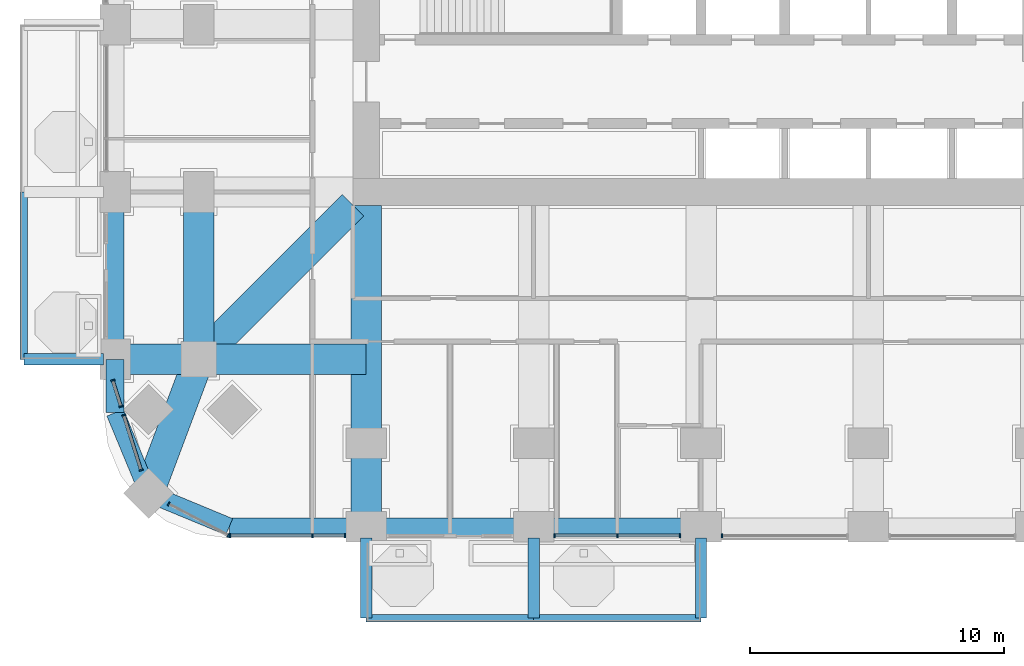
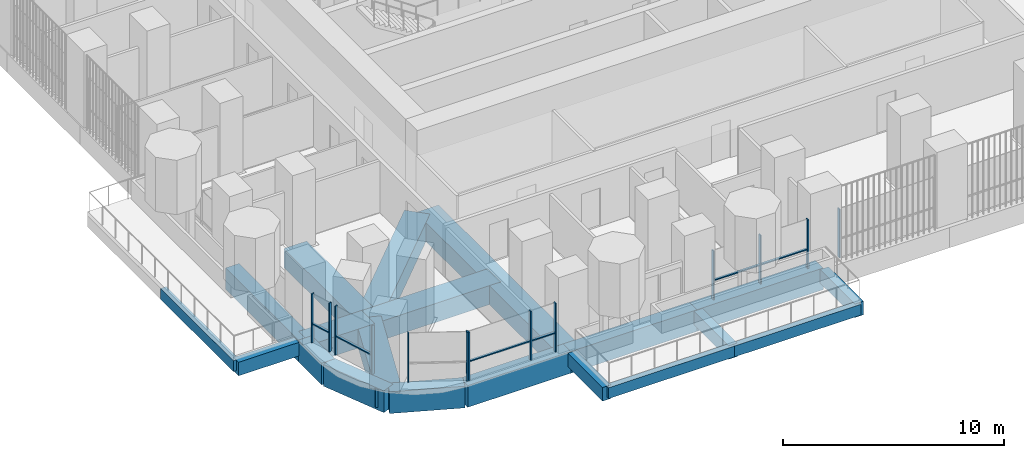
# One storey, part 2 of 21: 20 beams, 19 members, 6 elements without a shape of their own.
"""IFC4 building model written with IfcOpenShell, lengths in metres."""

import ifcopenshell
import ifcopenshell.guid

model = None  # the IFC model being written
_history = None  # IfcOwnerHistory: only IFC2X3 demands one
_inside = {}  # id of a spatial element -> (the spatial element, [elements in it])
_under = {}  # id of a project, library or spatial element -> (it, [spatial elements below it])
_declared = {}  # id of a project -> (the project, [libraries it declares])
_typed = {}  # id of a type object -> (the type object, [elements of that type])
_made_of = {}  # id of a material, layer set ... -> (it, [elements and type objects made of it])


def new_model(schema):
    """Start an empty IFC model of exactly this schema.

    Asked for "IFC4X3", IfcOpenShell would pick the latest addendum, in which some entities
    have other attributes; the version numbers below select the first issue.
    IFC2X3 requires an IfcOwnerHistory on every rooted entity: one is made here for all.
    """
    global model, _history
    if schema == "IFC4X3":
        model = ifcopenshell.file(schema_version=(4, 3, 0, 0))
    else:
        model = ifcopenshell.file(schema=schema)
    _inside.clear()
    _under.clear()
    _declared.clear()
    _typed.clear()
    _made_of.clear()
    _history = None
    if model.schema == "IFC2X3":
        org = make("IfcOrganization", Name="unknown")
        user = make(
            "IfcPersonAndOrganization",
            ThePerson=make("IfcPerson", FamilyName="unknown"),
            TheOrganization=org,
        )
        app = make(
            "IfcApplication",
            ApplicationDeveloper=org,
            Version="unknown",
            ApplicationFullName="unknown",
            ApplicationIdentifier="unknown",
        )
        _history = make(
            "IfcOwnerHistory",
            OwningUser=user,
            OwningApplication=app,
            ChangeAction="ADDED",
            CreationDate=0,
        )
    return model


def make(cls, **values):
    """One entity of the class cls with the attributes given. An attribute that is None is left unset."""
    return model.create_entity(
        cls, **{name: value for name, value in values.items() if value is not None}
    )


def rooted(cls, **values):
    """An entity with a GlobalId (a new one), such as an element, a storey or a relation."""
    return make(cls, GlobalId=ifcopenshell.guid.new(), OwnerHistory=_history, **values)


def si_unit(unit_type, name, prefix=None):
    """IfcSIUnit, for example si_unit("LENGTHUNIT", "METRE", prefix="MILLI")."""
    return make("IfcSIUnit", UnitType=unit_type, Prefix=prefix, Name=name)


def assignment(units):
    """IfcUnitAssignment: the units of a project."""
    return None if units is None else make("IfcUnitAssignment", Units=units)


def point(xyz):
    """IfcCartesianPoint."""
    return None if xyz is None else make("IfcCartesianPoint", Coordinates=xyz)


def direction(xyz):
    """IfcDirection."""
    return None if xyz is None else make("IfcDirection", DirectionRatios=xyz)


def frame(location, z_axis=None, x_axis=None):
    """IfcAxis2Placement3D, a coordinate frame: its origin and axes. An axis left out is left unset."""
    return make(
        "IfcAxis2Placement3D",
        Location=point(location),
        Axis=direction(z_axis),
        RefDirection=direction(x_axis),
    )


def frame_2d(location, x_axis=None):
    """IfcAxis2Placement2D, a coordinate frame in the plane: its origin and x axis."""
    return make(
        "IfcAxis2Placement2D", Location=point(location), RefDirection=direction(x_axis)
    )


def origin():
    """The frame at (0, 0, 0) with its axes left unset."""
    return frame((0.0, 0.0, 0.0))


def origin_2d():
    """The frame at (0, 0) in the plane with its x axis left unset."""
    return frame_2d((0.0, 0.0))


def place(relative_to, where):
    """IfcLocalPlacement: puts the frame where relative to a parent placement (None: the world)."""
    return make(
        "IfcLocalPlacement", PlacementRelTo=relative_to, RelativePlacement=where
    )


def context(
    kind, dimensions, precision=None, world=None, true_north=None, identifier=None
):
    """IfcGeometricRepresentationContext, for example the 3D "Model" context."""
    return make(
        "IfcGeometricRepresentationContext",
        ContextIdentifier=identifier,
        ContextType=kind,
        CoordinateSpaceDimension=dimensions,
        Precision=precision,
        WorldCoordinateSystem=world,
        TrueNorth=true_north,
    )


def subcontext(parent, identifier, kind, view, scale=None):
    """IfcGeometricRepresentationSubContext, for example "Body" below "Model"."""
    return make(
        "IfcGeometricRepresentationSubContext",
        ContextIdentifier=identifier,
        ContextType=kind,
        ParentContext=parent,
        TargetScale=scale,
        TargetView=view,
    )


def project(units=None, contexts=None):
    """IfcProject with its units and contexts."""
    return rooted(
        "IfcProject",
        Name="project",
        RepresentationContexts=contexts,
        UnitsInContext=assignment(units),
    )


def spatial(cls, under=None, at=None, **own):
    """A site, building, storey or space (cls), placed at a placement, below another one or the project."""
    s = rooted(cls, ObjectPlacement=at, **own)
    if under is not None:
        _under.setdefault(under.id(), (under, []))[1].append(s)
    return s


def profile(cls, at=None, kind="AREA", **sizes):
    """A parametric profile (cls). Its sizes go by their IFC names, for example OverallWidth=200.0."""
    return make(cls, ProfileType=kind, Position=at, **sizes)


def rectangle(**sizes):
    """IfcRectangleProfileDef."""
    return profile("IfcRectangleProfileDef", **sizes)


def extrude(swept, where, along, depth):
    """IfcExtrudedAreaSolid: the profile swept, set in the frame where, extruded along a direction by depth."""
    return make(
        "IfcExtrudedAreaSolid",
        SweptArea=swept,
        Position=where,
        ExtrudedDirection=direction(along),
        Depth=depth,
    )


def shape(context_of_items, identifier, shape_type, items):
    """IfcShapeRepresentation: the items that make up one representation, for example the "Body"."""
    return make(
        "IfcShapeRepresentation",
        ContextOfItems=context_of_items,
        RepresentationIdentifier=identifier,
        RepresentationType=shape_type,
        Items=items,
    )


def material(Name=None, Category=None):
    """IfcMaterial."""
    return make("IfcMaterial", Name=Name, Category=Category)


def material_profile(
    of_material, cross_section, Name=None, Category=None, Priority=None
):
    """IfcMaterialProfile: a cross section and its material."""
    return make(
        "IfcMaterialProfile",
        Name=Name,
        Material=of_material,
        Profile=cross_section,
        Priority=Priority,
        Category=Category,
    )


def profile_set(profiles, Name=None, composite=None):
    """IfcMaterialProfileSet."""
    return make(
        "IfcMaterialProfileSet",
        Name=Name,
        MaterialProfiles=profiles,
        CompositeProfile=composite,
    )


def made_of(thing, what):
    """Note that an element or type object is made of a material, layer set ...; save() writes the relation."""
    if what is not None:
        _made_of.setdefault(what.id(), (what, []))[1].append(thing)
    return thing


def type_object(cls, material=None, **own):
    """A type object (cls), such as IfcWallType, which elements share."""
    return made_of(rooted(cls, **own), material)


def element(
    cls,
    number,
    at=None,
    inside=None,
    cuts=None,
    type_object=None,
    material=None,
    context=None,
    identifier="Body",
    shape_type=None,
    held_by="IfcProductDefinitionShape",
    body=None,
    shapes=None,
    **own,
):
    """One element of the class cls, such as IfcWall. Its Tag is "e" and its number.

    at: its placement. inside: the storey or other place that contains it. cuts: it is an
    opening in that element (IfcRelVoidsElement). A single representation is given by context,
    identifier, shape_type and body (its items); several are given by shapes. held_by: the class
    of the entity that holds the representations. save() writes the other relations.
    """
    e = rooted(cls, Tag="e%d" % number, ObjectPlacement=at, **own)
    if body is not None:
        shapes = [shape(context, identifier, shape_type, body)]
    if shapes is not None:
        e.Representation = make(held_by, Representations=shapes)
    if inside is not None:
        _inside.setdefault(inside.id(), (inside, []))[1].append(e)
    if cuts is not None:
        rooted(
            "IfcRelVoidsElement", RelatingBuildingElement=cuts, RelatedOpeningElement=e
        )
    if type_object is not None:
        _typed.setdefault(type_object.id(), (type_object, []))[1].append(e)
    return made_of(e, material)


def aggregate(whole, parts):
    """IfcRelAggregates: a whole, such as a stair, and the parts it consists of."""
    return rooted("IfcRelAggregates", RelatingObject=whole, RelatedObjects=parts)


def save(model, path):
    """Write the relations noted so far, then the file.

    IfcRelAggregates (storeys below a building ...), IfcRelContainedInSpatialStructure (elements
    in a storey), IfcRelDefinesByType, IfcRelAssociatesMaterial and IfcRelDeclares: one each for
    every whole, place, type object, material and project.
    """
    for whole, parts in _under.values():
        aggregate(whole, parts)
    for where, things in _inside.values():
        rooted(
            "IfcRelContainedInSpatialStructure",
            RelatedElements=things,
            RelatingStructure=where,
        )
    for kind, things in _typed.values():
        rooted("IfcRelDefinesByType", RelatedObjects=things, RelatingType=kind)
    for what, things in _made_of.values():
        rooted("IfcRelAssociatesMaterial", RelatedObjects=things, RelatingMaterial=what)
    for by, libraries in _declared.values():
        rooted("IfcRelDeclares", RelatingContext=by, RelatedDefinitions=libraries)
    model.write(path)


model = new_model("IFC4")

# Units and contexts
model_context = context("Model", 3, precision=1e-05, world=origin(), true_north=direction((0.0, 1.0)))
body_context = subcontext(model_context, "Body", "Model", "MODEL_VIEW")
ifc_project = project(units=[si_unit("LENGTHUNIT", "METRE"), si_unit("AREAUNIT", "SQUARE_METRE"), si_unit("VOLUMEUNIT", "CUBIC_METRE"), si_unit("PLANEANGLEUNIT", "RADIAN"), si_unit("MASSUNIT", "GRAM", prefix="KILO")], contexts=[model_context])

# Site, building, storey
site_placement = place(None, origin())
site = spatial("IfcSite", under=ifc_project, at=site_placement, CompositionType="ELEMENT")
building_placement = place(site_placement, origin())
building = spatial("IfcBuilding", under=site, at=building_placement, Name="Cobogo Forest Laboratory Tower", CompositionType="ELEMENT")
storey_placement = place(building_placement, frame((0.0, 0.0, 90.60009765625)))
storey = spatial("IfcBuildingStorey", under=building, at=storey_placement, Name="L20", CompositionType="ELEMENT", Elevation=90.60009765625)

# Beams
ifc_material_1 = material(Name="Concrete HA-40 (C40/50)", Category="concrete")
ifc_material_profile_1 = material_profile(ifc_material_1, rectangle(XDim=0.449951171875, YDim=0.75, at=origin_2d()), Name="RC 450x750")
ifc_profile_set_1 = profile_set([ifc_material_profile_1], Name="Concrete HA-40 (C40/50)")
beam_type_1 = type_object("IfcBeamType", Name="Balcony cantilever beam 450x750", PredefinedType="BEAM", material=ifc_profile_set_1)
for number, where, z_axis, x_axis, name in (
    (1, (13.199951171875, -0.449951171875, -0.625), (0.0, -1.0, 0.0), (1.0, 0.0, 0.0), "CB1 BAL-S1-C1 L20"),
    (2, (19.800048828125, -0.449951171875, -0.625), (0.0, -1.0, 0.0), (1.0, 0.0, 0.0), "CB1 BAL-S1-C2 L20"),
    (3, (26.39990234375, -0.449951171875, -0.625), (0.0, -1.0, 0.0), (1.0, 0.0, 0.0), "CB1 BAL-S1-C3 L20"),
    (4, (2.85009765625, 6.60009765625, -0.625), (-1.0, 0.0, 0.0), (0.0, -1.0, 0.0), "CB1 BAL-W1-C1 L20"),
):
    element("IfcBeam", number, at=place(storey_placement, frame(where, z_axis=z_axis, x_axis=x_axis)), inside=storey, type_object=beam_type_1, Name=name, PredefinedType="BEAM", context=body_context, shape_type="SweptSolid", body=[
        extrude(rectangle(XDim=0.449951171875, YDim=0.75, at=origin_2d()), origin(), (0.0, 0.0, 1.0), 3.150146484375),
    ])
ifc_material_profile_2 = material_profile(ifc_material_1, rectangle(XDim=0.300048828125, YDim=0.60009765625, at=origin_2d()), Name="RC 300x600")
ifc_profile_set_2 = profile_set([ifc_material_profile_2], Name="Concrete HA-40 (C40/50)")
beam_type_2 = type_object("IfcBeamType", Name="Balcony edge beam 300x600", PredefinedType="BEAM", material=ifc_profile_set_2)
beam_1_placement = place(storey_placement, frame((13.199951171875, -3.60009765625, -0.550048828125), z_axis=(1.0, 0.0, 0.0), x_axis=(0.0, 1.0, 0.0)))
element("IfcBeam", 5, at=beam_1_placement, inside=storey, type_object=beam_type_2, Name="BB1 BAL-S1-T1 L20", PredefinedType="BEAM", context=body_context, shape_type="SweptSolid", body=[
    extrude(rectangle(XDim=0.300048828125, YDim=0.60009765625, at=origin_2d()), origin(), (0.0, 0.0, 1.0), 6.60009765625),
])
for number, where, z_axis, x_axis, name in (
    (6, (19.800048828125, -3.60009765625, -0.550048828125), (1.0, 0.0, 0.0), (0.0, 1.0, 0.0), "BB1 BAL-S1-T2 L20"),
    (7, (-0.300048828125, 6.60009765625, -0.550048828125), (0.0, 1.0, 0.0), (-1.0, 0.0, 0.0), "BB1 BAL-W1-T1 L20"),
):
    element("IfcBeam", number, at=place(storey_placement, frame(where, z_axis=z_axis, x_axis=x_axis)), inside=storey, type_object=beam_type_2, Name=name, PredefinedType="BEAM", context=body_context, shape_type="SweptSolid", body=[
        extrude(rectangle(XDim=0.300048828125, YDim=0.60009765625, at=origin_2d()), origin(), (0.0, 0.0, 1.0), 6.599853515625),
    ])
ifc_material_profile_3 = material_profile(ifc_material_1, rectangle(XDim=1.199951171875, YDim=1.050048828125, at=origin_2d()), Name="RC 1200x1050")
ifc_profile_set_3 = profile_set([ifc_material_profile_3], Name="Concrete HA-40 (C40/50)")
beam_type_3 = type_object("IfcBeamType", Name="Laboratory floor wide beam 1200x1050", PredefinedType="BEAM", material=ifc_profile_set_3)
beam_2_placement = place(storey_placement, frame((13.199951171875, 12.675048828125, -0.8251953125), z_axis=(0.0, -1.0, 0.0), x_axis=(1.0, 0.0, 0.0)))
element("IfcBeam", 8, at=beam_2_placement, inside=storey, type_object=beam_type_3, Name="RB1 R-3-S L20", PredefinedType="BEAM", context=body_context, shape_type="SweptSolid", body=[
    extrude(rectangle(XDim=1.199951171875, YDim=1.050048828125, at=origin_2d()), origin(), (0.0, 0.0, 1.0), 12.675048828125),
])
beam_3_placement = place(storey_placement, frame((6.60009765625, 6.60009765625, -0.8251953125), z_axis=(0.0, 1.0, 0.0), x_axis=(-1.0, 0.0, 0.0)))
element("IfcBeam", 9, at=beam_3_placement, inside=storey, type_object=beam_type_3, Name="RB1 G-SW-XC L20", PredefinedType="BEAM", context=body_context, shape_type="SweptSolid", body=[
    extrude(rectangle(XDim=1.199951171875, YDim=1.050048828125, at=origin_2d()), origin(), (0.0, 0.0, 1.0), 6.599853515625),
])
beam_4_placement = place(storey_placement, frame((3.300048828125, 6.60009765625, -0.8251953125), z_axis=(1.0, 0.0, 0.0), x_axis=(0.0, 1.0, 0.0)))
element("IfcBeam", 10, at=beam_4_placement, inside=storey, type_object=beam_type_3, Name="RB1 G-SW-YF L20", PredefinedType="BEAM", context=body_context, shape_type="SweptSolid", body=[
    extrude(rectangle(XDim=1.199951171875, YDim=1.050048828125, at=origin_2d()), origin(), (0.0, 0.0, 1.0), 3.300048828125),
])
beam_5_placement = place(storey_placement, frame((6.60009765625, 6.60009765625, -0.8251953125), z_axis=(1.0, 0.0, 0.0), x_axis=(0.0, 1.0, 0.0)))
element("IfcBeam", 11, at=beam_5_placement, inside=storey, type_object=beam_type_3, Name="RB1 G-SW-YC L20", PredefinedType="BEAM", context=body_context, shape_type="SweptSolid", body=[
    extrude(rectangle(XDim=1.199951171875, YDim=1.050048828125, at=origin_2d()), origin(), (0.0, 0.0, 1.0), 6.599853515625),
])
beam_6_placement = place(storey_placement, frame((4.617919921875, 1.318115234375, -0.8251953125), z_axis=(0.351346325373, 0.936245565889, 0.0), x_axis=(-0.936245565889, 0.351346325373, 0.0)))
element("IfcBeam", 12, at=beam_6_placement, inside=storey, type_object=beam_type_3, Name="RB1 G-SW-D1 L20", PredefinedType="BEAM", context=body_context, shape_type="SweptSolid", body=[
    extrude(rectangle(XDim=1.199951171875, YDim=1.050048828125, at=origin_2d()), origin(), (0.0, 0.0, 1.0), 5.6416015625),
])
beam_7_placement = place(storey_placement, frame((6.60009765625, 6.60009765625, -0.8251953125), z_axis=(0.707106781187, 0.707106781187, 0.0), x_axis=(-0.707106781187, 0.707106781187, 0.0)))
element("IfcBeam", 13, at=beam_7_placement, inside=storey, type_object=beam_type_3, Name="RB1 G-SW-D2 L20", PredefinedType="BEAM", context=body_context, shape_type="SweptSolid", body=[
    extrude(rectangle(XDim=1.199951171875, YDim=1.050048828125, at=origin_2d()), origin(), (0.0, 0.0, 1.0), 8.59130859375),
])

# Curtain wall, members
ifc_material_2 = material(Name="Aluminium curtain wall", Category="aluminium")
curtain_wall_type = type_object("IfcCurtainWallType", Name="CW-1 unitised curtain wall, clear glazing, laboratory floors zones A and B", PredefinedType="USERDEFINED", material=ifc_material_2)
curtain_wall_1_placement = place(storey_placement, origin())
curtain_wall_1 = element("IfcCurtainWall", 14, at=curtain_wall_1_placement, inside=storey, type_object=curtain_wall_type, Name="Curtain wall 01 L20", ObjectType="UNITISED CURTAIN WALL", PredefinedType="USERDEFINED")
ifc_material_3 = material(Name="Aluminium mullion", Category="aluminium")
ifc_material_profile_4 = material_profile(ifc_material_3, rectangle(XDim=0.06005859375, YDim=0.159912109375, at=origin_2d()), Name="AL 60x160")
ifc_profile_set_4 = profile_set([ifc_material_profile_4], Name="Aluminium mullion")
member_type_1 = type_object("IfcMemberType", Name="MU-1 aluminium mullion 60x160", PredefinedType="MULLION", material=ifc_profile_set_4)
member_1_placement = place(storey_placement, frame((7.830078125, -0.35009765625, 0.0), z_axis=(0.0, 0.0, 1.0), x_axis=(1.0, 0.0, 0.0)))
member_1 = element("IfcMember", 15, at=member_1_placement, type_object=member_type_1, Name="CW-1 mullion 1", PredefinedType="MULLION", context=body_context, shape_type="SweptSolid", body=[
    extrude(rectangle(XDim=0.06005859375, YDim=0.159912109375, at=origin_2d()), origin(), (0.0, 0.0, 1.0), 2.699951171875),
])
member_2_placement = place(storey_placement, frame((11.074951171875, -0.35009765625, 0.0), z_axis=(0.0, 0.0, 1.0), x_axis=(1.0, 0.0, 0.0)))
member_2 = element("IfcMember", 16, at=member_2_placement, type_object=member_type_1, Name="CW-1 mullion 2", PredefinedType="MULLION", context=body_context, shape_type="SweptSolid", body=[
    extrude(rectangle(XDim=0.06005859375, YDim=0.159912109375, at=origin_2d()), origin(), (0.0, 0.0, 1.0), 2.699951171875),
])
member_3_placement = place(storey_placement, frame((12.3701171875, -0.35009765625, 0.0), z_axis=(0.0, 0.0, 1.0), x_axis=(1.0, 0.0, 0.0)))
member_3 = element("IfcMember", 17, at=member_3_placement, type_object=member_type_1, Name="CW-1 mullion 3", PredefinedType="MULLION", context=body_context, shape_type="SweptSolid", body=[
    extrude(rectangle(XDim=0.06005859375, YDim=0.159912109375, at=origin_2d()), origin(), (0.0, 0.0, 1.0), 2.699951171875),
])

curtain_wall_2_placement = place(storey_placement, origin())
curtain_wall_2 = element("IfcCurtainWall", 18, at=curtain_wall_2_placement, inside=storey, type_object=curtain_wall_type, Name="Curtain wall 03 L20", ObjectType="UNITISED CURTAIN WALL", PredefinedType="USERDEFINED")
member_4_placement = place(storey_placement, frame((20.6298828125, -0.35009765625, 0.0), z_axis=(0.0, 0.0, 1.0), x_axis=(1.0, 0.0, 0.0)))
member_4 = element("IfcMember", 19, at=member_4_placement, type_object=member_type_1, Name="CW-1 mullion 1", PredefinedType="MULLION", context=body_context, shape_type="SweptSolid", body=[
    extrude(rectangle(XDim=0.06005859375, YDim=0.159912109375, at=origin_2d()), origin(), (0.0, 0.0, 1.0), 2.699951171875),
])
member_5_placement = place(storey_placement, frame((23.10009765625, -0.35009765625, 0.0), z_axis=(0.0, 0.0, 1.0), x_axis=(1.0, 0.0, 0.0)))
member_5 = element("IfcMember", 20, at=member_5_placement, type_object=member_type_1, Name="CW-1 mullion 2", PredefinedType="MULLION", context=body_context, shape_type="SweptSolid", body=[
    extrude(rectangle(XDim=0.06005859375, YDim=0.159912109375, at=origin_2d()), origin(), (0.0, 0.0, 1.0), 2.699951171875),
])
member_6_placement = place(storey_placement, frame((25.570068359375, -0.35009765625, 0.0), z_axis=(0.0, 0.0, 1.0), x_axis=(1.0, 0.0, 0.0)))
member_6 = element("IfcMember", 21, at=member_6_placement, type_object=member_type_1, Name="CW-1 mullion 3", PredefinedType="MULLION", context=body_context, shape_type="SweptSolid", body=[
    extrude(rectangle(XDim=0.06005859375, YDim=0.159912109375, at=origin_2d()), origin(), (0.0, 0.0, 1.0), 2.699951171875),
])

# Curtain wall, member
curtain_wall_3_placement = place(storey_placement, origin())
curtain_wall_3 = element("IfcCurtainWall", 22, at=curtain_wall_3_placement, inside=storey, type_object=curtain_wall_type, Name="Curtain wall 04 L20", ObjectType="UNITISED CURTAIN WALL", PredefinedType="USERDEFINED")
member_7_placement = place(storey_placement, frame((27.22998046875, -0.35009765625, 0.0), z_axis=(0.0, 0.0, 1.0), x_axis=(1.0, 0.0, 0.0)))
member_7 = element("IfcMember", 23, at=member_7_placement, type_object=member_type_1, Name="CW-1 mullion 1", PredefinedType="MULLION", context=body_context, shape_type="SweptSolid", body=[
    extrude(rectangle(XDim=0.06005859375, YDim=0.159912109375, at=origin_2d()), origin(), (0.0, 0.0, 1.0), 2.699951171875),
])
aggregate(curtain_wall_3, [member_7])

# Curtain wall, members
curtain_wall_4_placement = place(storey_placement, origin())
curtain_wall_4 = element("IfcCurtainWall", 24, at=curtain_wall_4_placement, inside=storey, type_object=curtain_wall_type, Name="Curtain wall 32 L20", ObjectType="UNITISED CURTAIN WALL", PredefinedType="USERDEFINED")
member_8_placement = place(storey_placement, frame((3.211669921875, 5.771484375, 0.0), z_axis=(0.0, 0.0, 1.0), x_axis=(0.3011355018, -0.953581359694, 0.0)))
member_8 = element("IfcMember", 25, at=member_8_placement, type_object=member_type_1, Name="CW-1 mullion 1", PredefinedType="MULLION", context=body_context, shape_type="SweptSolid", body=[
    extrude(rectangle(XDim=0.06005859375, YDim=0.159912109375, at=origin_2d()), origin(), (0.0, 0.0, 1.0), 2.699951171875),
])
member_9_placement = place(storey_placement, frame((3.53515625, 4.74658203125, 0.0), z_axis=(0.0, 0.0, 1.0), x_axis=(0.3011355018, -0.953581359694, 0.0)))
member_9 = element("IfcMember", 26, at=member_9_placement, type_object=member_type_1, Name="CW-1 mullion 2", PredefinedType="MULLION", context=body_context, shape_type="SweptSolid", body=[
    extrude(rectangle(XDim=0.06005859375, YDim=0.159912109375, at=origin_2d()), origin(), (0.0, 0.0, 1.0), 2.699951171875),
])

curtain_wall_5_placement = place(storey_placement, origin())
curtain_wall_5 = element("IfcCurtainWall", 27, at=curtain_wall_5_placement, inside=storey, type_object=curtain_wall_type, Name="Curtain wall 33 L20", ObjectType="UNITISED CURTAIN WALL", PredefinedType="USERDEFINED")
member_10_placement = place(storey_placement, frame((3.645751953125, 4.39697265625, 0.0), z_axis=(0.0, 0.0, 1.0), x_axis=(0.301135343623, -0.953581409645, 0.0)))
member_10 = element("IfcMember", 28, at=member_10_placement, type_object=member_type_1, Name="CW-1 mullion 1", PredefinedType="MULLION", context=body_context, shape_type="SweptSolid", body=[
    extrude(rectangle(XDim=0.06005859375, YDim=0.159912109375, at=origin_2d()), origin(), (0.0, 0.0, 1.0), 2.699951171875),
])
member_11_placement = place(storey_placement, frame((4.3271484375, 2.23876953125, 0.0), z_axis=(0.0, 0.0, 1.0), x_axis=(0.301135343623, -0.953581409645, 0.0)))
member_11 = element("IfcMember", 29, at=member_11_placement, type_object=member_type_1, Name="CW-1 mullion 2", PredefinedType="MULLION", context=body_context, shape_type="SweptSolid", body=[
    extrude(rectangle(XDim=0.06005859375, YDim=0.159912109375, at=origin_2d()), origin(), (0.0, 0.0, 1.0), 2.699951171875),
])

curtain_wall_6_placement = place(storey_placement, origin())
curtain_wall_6 = element("IfcCurtainWall", 30, at=curtain_wall_6_placement, inside=storey, type_object=curtain_wall_type, Name="Curtain wall 34 L20", ObjectType="UNITISED CURTAIN WALL", PredefinedType="USERDEFINED")
member_12_placement = place(storey_placement, frame((5.414794921875, 0.900390625, 0.0), z_axis=(0.0, 0.0, 1.0), x_axis=(0.885686540666, -0.464283697413, 0.0)))
member_12 = element("IfcMember", 31, at=member_12_placement, type_object=member_type_1, Name="CW-1 mullion 1", PredefinedType="MULLION", context=body_context, shape_type="SweptSolid", body=[
    extrude(rectangle(XDim=0.06005859375, YDim=0.159912109375, at=origin_2d()), origin(), (0.0, 0.0, 1.0), 2.699951171875),
])
member_13_placement = place(storey_placement, frame((7.7734375, -0.336181640625, 0.0), z_axis=(0.0, 0.0, 1.0), x_axis=(0.885686540666, -0.464283697413, 0.0)))
member_13 = element("IfcMember", 32, at=member_13_placement, type_object=member_type_1, Name="CW-1 mullion 2", PredefinedType="MULLION", context=body_context, shape_type="SweptSolid", body=[
    extrude(rectangle(XDim=0.06005859375, YDim=0.159912109375, at=origin_2d()), origin(), (0.0, 0.0, 1.0), 2.699951171875),
])
aggregate(curtain_wall_6, [member_12, member_13])

# Beams
ifc_material_profile_5 = material_profile(ifc_material_1, rectangle(XDim=0.699951171875, YDim=1.199951171875, at=origin_2d()), Name="RC 700x1200")
ifc_profile_set_5 = profile_set([ifc_material_profile_5], Name="Concrete HA-40 (C40/50)")
beam_type_4 = type_object("IfcBeamType", Name="Perimeter edge beam 700x1200", PredefinedType="BEAM", material=ifc_profile_set_5)
beam_8_placement = place(storey_placement, frame((13.199951171875, 0.0, -0.900146484375), z_axis=(1.0, 0.0, 0.0), x_axis=(0.0, 1.0, 0.0)))
element("IfcBeam", 33, at=beam_8_placement, inside=storey, type_object=beam_type_4, Name="EB1 E-S1 L20", PredefinedType="BEAM", context=body_context, shape_type="SweptSolid", body=[
    extrude(rectangle(XDim=0.699951171875, YDim=1.199951171875, at=origin_2d()), origin(), (0.0, 0.0, 1.0), 6.60009765625),
])
for number, where, z_axis, x_axis, name in (
    (34, (19.800048828125, 0.0, -0.900146484375), (1.0, 0.0, 0.0), (0.0, 1.0, 0.0), "EB1 E-S2 L20"),
    (35, (3.300048828125, 6.60009765625, -0.900146484375), (0.0, 1.0, 0.0), (-1.0, 0.0, 0.0), "EB1 E-W1 L20"),
):
    element("IfcBeam", number, at=place(storey_placement, frame(where, z_axis=z_axis, x_axis=x_axis)), inside=storey, type_object=beam_type_4, Name=name, PredefinedType="BEAM", context=body_context, shape_type="SweptSolid", body=[
        extrude(rectangle(XDim=0.699951171875, YDim=1.199951171875, at=origin_2d()), origin(), (0.0, 0.0, 1.0), 6.599853515625),
    ])
beam_9_placement = place(storey_placement, frame((13.199951171875, 0.0, -0.900146484375), z_axis=(-1.0, 0.0, 0.0), x_axis=(0.0, -1.0, 0.0)))
element("IfcBeam", 36, at=beam_9_placement, inside=storey, type_object=beam_type_4, Name="EB1 E-SWS1 L20", PredefinedType="BEAM", context=body_context, shape_type="SweptSolid", body=[
    extrude(rectangle(XDim=0.699951171875, YDim=1.199951171875, at=origin_2d()), origin(), (0.0, 0.0, 1.0), 5.39990234375),
])
beam_10_placement = place(storey_placement, frame((7.800048828125, 0.0, -0.900146484375), z_axis=(-0.923876013265, 0.382691928466, 0.0), x_axis=(-0.382691928466, -0.923876013265, 0.0)))
element("IfcBeam", 37, at=beam_10_placement, inside=storey, type_object=beam_type_4, Name="EB1 E-SWS2 L20", PredefinedType="BEAM", context=body_context, shape_type="SweptSolid", body=[
    extrude(rectangle(XDim=0.699951171875, YDim=1.199951171875, at=origin_2d()), origin(), (0.0, 0.0, 1.0), 3.4443359375),
])
beam_11_placement = place(storey_placement, frame((3.300048828125, 6.60009765625, -0.900146484375), z_axis=(0.0, -1.0, 0.0), x_axis=(1.0, 0.0, 0.0)))
element("IfcBeam", 38, at=beam_11_placement, inside=storey, type_object=beam_type_4, Name="EB1 E-SWW1 L20", PredefinedType="BEAM", context=body_context, shape_type="SweptSolid", body=[
    extrude(rectangle(XDim=0.699951171875, YDim=1.199951171875, at=origin_2d()), origin(), (0.0, 0.0, 1.0), 2.10009765625),
])
beam_12_placement = place(storey_placement, frame((3.300048828125, 4.5, -0.900146484375), z_axis=(0.382656484822, -0.923890694089, 0.0), x_axis=(0.923890694089, 0.382656484822, 0.0)))
element("IfcBeam", 39, at=beam_12_placement, inside=storey, type_object=beam_type_4, Name="EB1 E-SWW2 L20", PredefinedType="BEAM", context=body_context, shape_type="SweptSolid", body=[
    extrude(rectangle(XDim=0.699951171875, YDim=1.199951171875, at=origin_2d()), origin(), (0.0, 0.0, 1.0), 3.444091796875),
])

# Member
ifc_material_4 = material(Name="Aluminium transom", Category="aluminium")
ifc_material_profile_6 = material_profile(ifc_material_4, rectangle(XDim=0.1201171875, YDim=0.06005859375, at=origin_2d()), Name="AL 60x120")
ifc_profile_set_6 = profile_set([ifc_material_profile_6], Name="Aluminium transom")
member_type_2 = type_object("IfcMemberType", Name="TR-1 aluminium transom 60x120", PredefinedType="USERDEFINED", material=ifc_profile_set_6)
member_14_placement = place(storey_placement, frame((7.860107421875, -0.35009765625, 1.0498046875), z_axis=(1.0, 0.0, 0.0), x_axis=(0.0, 1.0, 0.0)))
member_14 = element("IfcMember", 40, at=member_14_placement, type_object=member_type_2, Name="CW-1 transom 1.1", ObjectType="TRANSOM", PredefinedType="USERDEFINED", context=body_context, shape_type="SweptSolid", body=[
    extrude(rectangle(XDim=0.1201171875, YDim=0.06005859375, at=origin_2d()), origin(), (0.0, 0.0, 1.0), 3.184814453125),
])

member_15_placement = place(storey_placement, frame((11.10498046875, -0.35009765625, 1.0498046875), z_axis=(1.0, 0.0, 0.0), x_axis=(0.0, 1.0, 0.0)))
member_15 = element("IfcMember", 41, at=member_15_placement, type_object=member_type_2, Name="CW-1 transom 2.1", ObjectType="TRANSOM", PredefinedType="USERDEFINED", context=body_context, shape_type="SweptSolid", body=[
    extrude(rectangle(XDim=0.1201171875, YDim=0.06005859375, at=origin_2d()), origin(), (0.0, 0.0, 1.0), 1.235107421875),
])

aggregate(curtain_wall_1, [member_1, member_2, member_3, member_14, member_15])

member_16_placement = place(storey_placement, frame((20.659912109375, -0.35009765625, 1.0498046875), z_axis=(1.0, 0.0, 0.0), x_axis=(0.0, 1.0, 0.0)))
member_16 = element("IfcMember", 42, at=member_16_placement, type_object=member_type_2, Name="CW-1 transom 1.1", ObjectType="TRANSOM", PredefinedType="USERDEFINED", context=body_context, shape_type="SweptSolid", body=[
    extrude(rectangle(XDim=0.1201171875, YDim=0.06005859375, at=origin_2d()), origin(), (0.0, 0.0, 1.0), 2.41015625),
])

member_17_placement = place(storey_placement, frame((23.1298828125, -0.35009765625, 1.0498046875), z_axis=(1.0, 0.0, 0.0), x_axis=(0.0, 1.0, 0.0)))
member_17 = element("IfcMember", 43, at=member_17_placement, type_object=member_type_2, Name="CW-1 transom 2.1", ObjectType="TRANSOM", PredefinedType="USERDEFINED", context=body_context, shape_type="SweptSolid", body=[
    extrude(rectangle(XDim=0.1201171875, YDim=0.06005859375, at=origin_2d()), origin(), (0.0, 0.0, 1.0), 2.41015625),
])

aggregate(curtain_wall_2, [member_4, member_5, member_6, member_16, member_17])

member_18_placement = place(storey_placement, frame((3.220703125, 5.74267578125, 1.0498046875), z_axis=(0.301096810965, -0.953593577174, 0.0), x_axis=(0.953593577174, 0.301096810965, 0.0)))
member_18 = element("IfcMember", 44, at=member_18_placement, type_object=member_type_2, Name="CW-1 transom 1.1", ObjectType="TRANSOM", PredefinedType="USERDEFINED", context=body_context, shape_type="SweptSolid", body=[
    extrude(rectangle(XDim=0.1201171875, YDim=0.06005859375, at=origin_2d()), origin(), (0.0, 0.0, 1.0), 1.014404296875),
])

aggregate(curtain_wall_4, [member_8, member_9, member_18])

member_19_placement = place(storey_placement, frame((3.65478515625, 4.368408203125, 1.0498046875), z_axis=(0.301062426819, -0.953604433273, 0.0), x_axis=(0.953604433273, 0.301062426819, 0.0)))
member_19 = element("IfcMember", 45, at=member_19_placement, type_object=member_type_2, Name="CW-1 transom 1.1", ObjectType="TRANSOM", PredefinedType="USERDEFINED", context=body_context, shape_type="SweptSolid", body=[
    extrude(rectangle(XDim=0.1201171875, YDim=0.06005859375, at=origin_2d()), origin(), (0.0, 0.0, 1.0), 2.203369140625),
])

aggregate(curtain_wall_5, [member_10, member_11, member_19])

save(model, "model.ifc")
